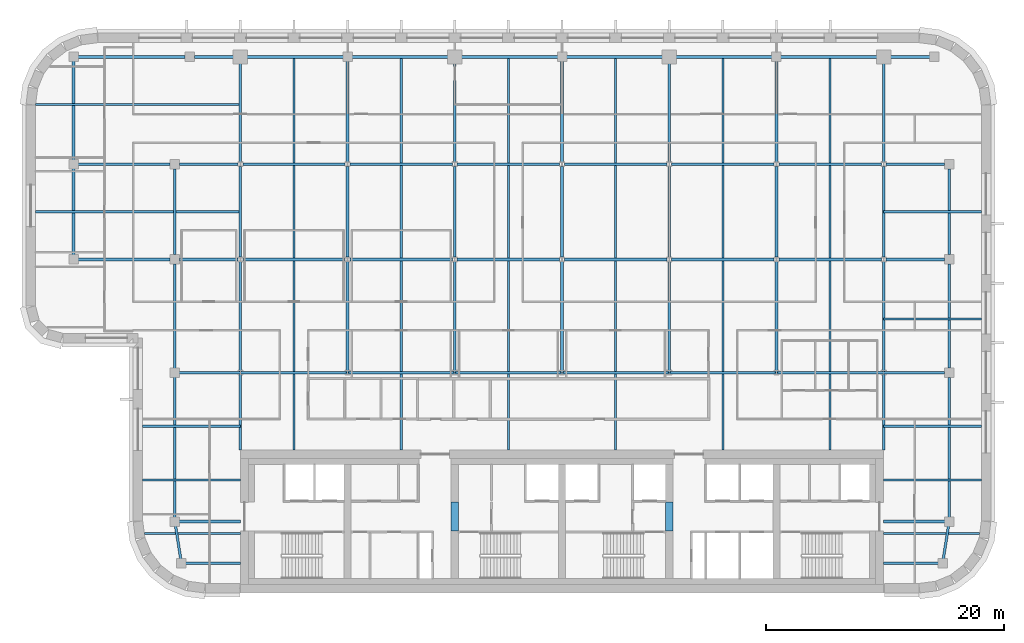
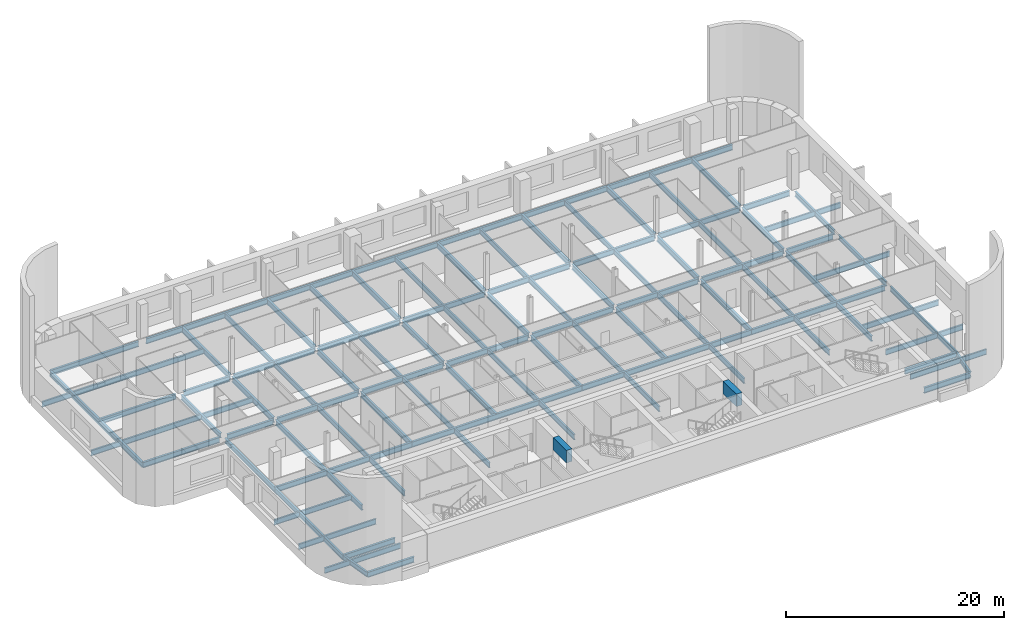
# One storey, part 5 of 17: 80 beams.
"""IFC4 building model written with IfcOpenShell, lengths in metres."""

import ifcopenshell
import ifcopenshell.guid

model = None  # the IFC model being written
_history = None  # IfcOwnerHistory: only IFC2X3 demands one
_inside = {}  # id of a spatial element -> (the spatial element, [elements in it])
_under = {}  # id of a project, library or spatial element -> (it, [spatial elements below it])
_declared = {}  # id of a project -> (the project, [libraries it declares])
_typed = {}  # id of a type object -> (the type object, [elements of that type])
_made_of = {}  # id of a material, layer set ... -> (it, [elements and type objects made of it])


def new_model(schema):
    """Start an empty IFC model of exactly this schema.

    Asked for "IFC4X3", IfcOpenShell would pick the latest addendum, in which some entities
    have other attributes; the version numbers below select the first issue.
    IFC2X3 requires an IfcOwnerHistory on every rooted entity: one is made here for all.
    """
    global model, _history
    if schema == "IFC4X3":
        model = ifcopenshell.file(schema_version=(4, 3, 0, 0))
    else:
        model = ifcopenshell.file(schema=schema)
    _inside.clear()
    _under.clear()
    _declared.clear()
    _typed.clear()
    _made_of.clear()
    _history = None
    if model.schema == "IFC2X3":
        org = make("IfcOrganization", Name="unknown")
        user = make(
            "IfcPersonAndOrganization",
            ThePerson=make("IfcPerson", FamilyName="unknown"),
            TheOrganization=org,
        )
        app = make(
            "IfcApplication",
            ApplicationDeveloper=org,
            Version="unknown",
            ApplicationFullName="unknown",
            ApplicationIdentifier="unknown",
        )
        _history = make(
            "IfcOwnerHistory",
            OwningUser=user,
            OwningApplication=app,
            ChangeAction="ADDED",
            CreationDate=0,
        )
    return model


def make(cls, **values):
    """One entity of the class cls with the attributes given. An attribute that is None is left unset."""
    return model.create_entity(
        cls, **{name: value for name, value in values.items() if value is not None}
    )


def rooted(cls, **values):
    """An entity with a GlobalId (a new one), such as an element, a storey or a relation."""
    return make(cls, GlobalId=ifcopenshell.guid.new(), OwnerHistory=_history, **values)


def si_unit(unit_type, name, prefix=None):
    """IfcSIUnit, for example si_unit("LENGTHUNIT", "METRE", prefix="MILLI")."""
    return make("IfcSIUnit", UnitType=unit_type, Prefix=prefix, Name=name)


def assignment(units):
    """IfcUnitAssignment: the units of a project."""
    return None if units is None else make("IfcUnitAssignment", Units=units)


def point(xyz):
    """IfcCartesianPoint."""
    return None if xyz is None else make("IfcCartesianPoint", Coordinates=xyz)


def direction(xyz):
    """IfcDirection."""
    return None if xyz is None else make("IfcDirection", DirectionRatios=xyz)


def frame(location, z_axis=None, x_axis=None):
    """IfcAxis2Placement3D, a coordinate frame: its origin and axes. An axis left out is left unset."""
    return make(
        "IfcAxis2Placement3D",
        Location=point(location),
        Axis=direction(z_axis),
        RefDirection=direction(x_axis),
    )


def frame_2d(location, x_axis=None):
    """IfcAxis2Placement2D, a coordinate frame in the plane: its origin and x axis."""
    return make(
        "IfcAxis2Placement2D", Location=point(location), RefDirection=direction(x_axis)
    )


def origin():
    """The frame at (0, 0, 0) with its axes left unset."""
    return frame((0.0, 0.0, 0.0))


def origin_2d():
    """The frame at (0, 0) in the plane with its x axis left unset."""
    return frame_2d((0.0, 0.0))


def place(relative_to, where):
    """IfcLocalPlacement: puts the frame where relative to a parent placement (None: the world)."""
    return make(
        "IfcLocalPlacement", PlacementRelTo=relative_to, RelativePlacement=where
    )


def context(
    kind, dimensions, precision=None, world=None, true_north=None, identifier=None
):
    """IfcGeometricRepresentationContext, for example the 3D "Model" context."""
    return make(
        "IfcGeometricRepresentationContext",
        ContextIdentifier=identifier,
        ContextType=kind,
        CoordinateSpaceDimension=dimensions,
        Precision=precision,
        WorldCoordinateSystem=world,
        TrueNorth=true_north,
    )


def subcontext(parent, identifier, kind, view, scale=None):
    """IfcGeometricRepresentationSubContext, for example "Body" below "Model"."""
    return make(
        "IfcGeometricRepresentationSubContext",
        ContextIdentifier=identifier,
        ContextType=kind,
        ParentContext=parent,
        TargetScale=scale,
        TargetView=view,
    )


def project(units=None, contexts=None):
    """IfcProject with its units and contexts."""
    return rooted(
        "IfcProject",
        Name="project",
        RepresentationContexts=contexts,
        UnitsInContext=assignment(units),
    )


def spatial(cls, under=None, at=None, **own):
    """A site, building, storey or space (cls), placed at a placement, below another one or the project."""
    s = rooted(cls, ObjectPlacement=at, **own)
    if under is not None:
        _under.setdefault(under.id(), (under, []))[1].append(s)
    return s


def profile(cls, at=None, kind="AREA", **sizes):
    """A parametric profile (cls). Its sizes go by their IFC names, for example OverallWidth=200.0."""
    return make(cls, ProfileType=kind, Position=at, **sizes)


def rectangle(**sizes):
    """IfcRectangleProfileDef."""
    return profile("IfcRectangleProfileDef", **sizes)


def i_section(**sizes):
    """IfcIShapeProfileDef."""
    return profile("IfcIShapeProfileDef", **sizes)


def extrude(swept, where, along, depth):
    """IfcExtrudedAreaSolid: the profile swept, set in the frame where, extruded along a direction by depth."""
    return make(
        "IfcExtrudedAreaSolid",
        SweptArea=swept,
        Position=where,
        ExtrudedDirection=direction(along),
        Depth=depth,
    )


def shape(context_of_items, identifier, shape_type, items):
    """IfcShapeRepresentation: the items that make up one representation, for example the "Body"."""
    return make(
        "IfcShapeRepresentation",
        ContextOfItems=context_of_items,
        RepresentationIdentifier=identifier,
        RepresentationType=shape_type,
        Items=items,
    )


def material(Name=None, Category=None):
    """IfcMaterial."""
    return make("IfcMaterial", Name=Name, Category=Category)


def material_profile(
    of_material, cross_section, Name=None, Category=None, Priority=None
):
    """IfcMaterialProfile: a cross section and its material."""
    return make(
        "IfcMaterialProfile",
        Name=Name,
        Material=of_material,
        Profile=cross_section,
        Priority=Priority,
        Category=Category,
    )


def profile_set(profiles, Name=None, composite=None):
    """IfcMaterialProfileSet."""
    return make(
        "IfcMaterialProfileSet",
        Name=Name,
        MaterialProfiles=profiles,
        CompositeProfile=composite,
    )


def made_of(thing, what):
    """Note that an element or type object is made of a material, layer set ...; save() writes the relation."""
    if what is not None:
        _made_of.setdefault(what.id(), (what, []))[1].append(thing)
    return thing


def type_object(cls, material=None, **own):
    """A type object (cls), such as IfcWallType, which elements share."""
    return made_of(rooted(cls, **own), material)


def element(
    cls,
    number,
    at=None,
    inside=None,
    cuts=None,
    type_object=None,
    material=None,
    context=None,
    identifier="Body",
    shape_type=None,
    held_by="IfcProductDefinitionShape",
    body=None,
    shapes=None,
    **own,
):
    """One element of the class cls, such as IfcWall. Its Tag is "e" and its number.

    at: its placement. inside: the storey or other place that contains it. cuts: it is an
    opening in that element (IfcRelVoidsElement). A single representation is given by context,
    identifier, shape_type and body (its items); several are given by shapes. held_by: the class
    of the entity that holds the representations. save() writes the other relations.
    """
    e = rooted(cls, Tag="e%d" % number, ObjectPlacement=at, **own)
    if body is not None:
        shapes = [shape(context, identifier, shape_type, body)]
    if shapes is not None:
        e.Representation = make(held_by, Representations=shapes)
    if inside is not None:
        _inside.setdefault(inside.id(), (inside, []))[1].append(e)
    if cuts is not None:
        rooted(
            "IfcRelVoidsElement", RelatingBuildingElement=cuts, RelatedOpeningElement=e
        )
    if type_object is not None:
        _typed.setdefault(type_object.id(), (type_object, []))[1].append(e)
    return made_of(e, material)


def aggregate(whole, parts):
    """IfcRelAggregates: a whole, such as a stair, and the parts it consists of."""
    return rooted("IfcRelAggregates", RelatingObject=whole, RelatedObjects=parts)


def save(model, path):
    """Write the relations noted so far, then the file.

    IfcRelAggregates (storeys below a building ...), IfcRelContainedInSpatialStructure (elements
    in a storey), IfcRelDefinesByType, IfcRelAssociatesMaterial and IfcRelDeclares: one each for
    every whole, place, type object, material and project.
    """
    for whole, parts in _under.values():
        aggregate(whole, parts)
    for where, things in _inside.values():
        rooted(
            "IfcRelContainedInSpatialStructure",
            RelatedElements=things,
            RelatingStructure=where,
        )
    for kind, things in _typed.values():
        rooted("IfcRelDefinesByType", RelatedObjects=things, RelatingType=kind)
    for what, things in _made_of.values():
        rooted("IfcRelAssociatesMaterial", RelatedObjects=things, RelatingMaterial=what)
    for by, libraries in _declared.values():
        rooted("IfcRelDeclares", RelatingContext=by, RelatedDefinitions=libraries)
    model.write(path)


model = new_model("IFC4")

# Units and contexts
model_context = context("Model", 3, precision=1e-05, world=origin(), true_north=direction((0.0, 1.0)))
body_context = subcontext(model_context, "Body", "Model", "MODEL_VIEW")
ifc_project = project(units=[si_unit("LENGTHUNIT", "METRE"), si_unit("AREAUNIT", "SQUARE_METRE"), si_unit("VOLUMEUNIT", "CUBIC_METRE"), si_unit("PLANEANGLEUNIT", "RADIAN"), si_unit("MASSUNIT", "GRAM", prefix="KILO")], contexts=[model_context])

# Site, building, storey
site_placement = place(None, origin())
site = spatial("IfcSite", under=ifc_project, at=site_placement, CompositionType="ELEMENT")
building_placement = place(site_placement, origin())
building = spatial("IfcBuilding", under=site, at=building_placement, Name="Zellij Exchange Tower", CompositionType="ELEMENT")
storey_placement = place(building_placement, frame((0.0, 0.0, 232.5)))
storey = spatial("IfcBuildingStorey", under=building, at=storey_placement, Name="L54", CompositionType="ELEMENT", Elevation=232.5)

# Beams
ifc_material_1 = material(Name="Concrete C50/60", Category="concrete")
ifc_material_profile_1 = material_profile(ifc_material_1, rectangle(XDim=0.60009765625, YDim=1.39990234375, at=origin_2d()), Name="CORE-CB 600x1400 C50/60")
ifc_profile_set_1 = profile_set([ifc_material_profile_1], Name="Concrete C50/60")
beam_type_1 = type_object("IfcBeamType", Name="CORE-CB 600x1400 C50/60", PredefinedType="BEAM", material=ifc_profile_set_1)
for number, where, z_axis, x_axis, name in (
    (1, (-9.0, -8.800048828125, 3.10009765625), (0.0, 1.0, 0.0), (-1.0, 0.0, 0.0), "Core coupling beam x -9 L54"),
    (2, (9.0, -8.800048828125, 3.10009765625), (0.0, 1.0, 0.0), (-1.0, 0.0, 0.0), "Core coupling beam x 9 L54"),
):
    element("IfcBeam", number, at=place(storey_placement, frame(where, z_axis=z_axis, x_axis=x_axis)), inside=storey, type_object=beam_type_1, Name=name, PredefinedType="BEAM", context=body_context, shape_type="SweptSolid", body=[
        extrude(rectangle(XDim=0.60009765625, YDim=1.39990234375, at=origin_2d()), origin(), (0.0, 0.0, 1.0), 2.425048828125),
    ])
ifc_material_2 = material(Name="Structural steel ASTM A992 Gr 50", Category="steel")
ifc_material_profile_2 = material_profile(ifc_material_2, i_section(OverallWidth=0.177978515625, OverallDepth=0.599365234375, WebThickness=0.010009765625, FlangeThickness=0.012939453125, at=origin_2d()), Name="W24x55")
ifc_profile_set_2 = profile_set([ifc_material_profile_2], Name="Structural steel ASTM A992 Gr 50")
beam_type_2 = type_object("IfcBeamType", Name="STR-BEAM W24x55", PredefinedType="BEAM", material=ifc_profile_set_2)
for number, where, z_axis, x_axis, name in (
    (3, (-22.5, -2.0, -0.499755859375), (0.0, 1.0, 0.0), (-1.0, 0.0, 0.0), "B4"),
    (4, (-13.5, -2.0, -0.499755859375), (0.0, 1.0, 0.0), (-1.0, 0.0, 0.0), "B4"),
    (5, (-4.5, -2.0, -0.499755859375), (0.0, 1.0, 0.0), (-1.0, 0.0, 0.0), "B4"),
    (6, (4.5, -2.0, -0.499755859375), (0.0, 1.0, 0.0), (-1.0, 0.0, 0.0), "B4"),
    (7, (13.5, -2.0, -0.499755859375), (0.0, 1.0, 0.0), (-1.0, 0.0, 0.0), "B4"),
    (8, (22.5, -2.0, -0.499755859375), (0.0, 1.0, 0.0), (-1.0, 0.0, 0.0), "B4"),
):
    element("IfcBeam", number, at=place(storey_placement, frame(where, z_axis=z_axis, x_axis=x_axis)), inside=storey, type_object=beam_type_2, Name=name, PredefinedType="BEAM", context=body_context, shape_type="SweptSolid", body=[
        extrude(i_section(OverallWidth=0.177978515625, OverallDepth=0.599365234375, WebThickness=0.010009765625, FlangeThickness=0.012939453125, at=origin_2d()), origin(), (0.0, 0.0, 1.0), 33.1142578125),
    ])
beam_1_placement = place(storey_placement, frame((-35.06103515625, -9.0, -0.499755859375), z_axis=(1.0, 0.0, 0.0), x_axis=(0.0, 1.0, 0.0)))
element("IfcBeam", 9, at=beam_1_placement, inside=storey, type_object=beam_type_2, Name="B4", PredefinedType="BEAM", context=body_context, shape_type="SweptSolid", body=[
    extrude(i_section(OverallWidth=0.177978515625, OverallDepth=0.599365234375, WebThickness=0.010009765625, FlangeThickness=0.012939453125, at=origin_2d()), origin(), (0.0, 0.0, 1.0), 8.06103515625),
])
for number, where, z_axis, x_axis, name in (
    (10, (-35.199951171875, -4.5, -0.499755859375), (1.0, 0.0, 0.0), (0.0, 1.0, 0.0), "B4"),
    (11, (-35.199951171875, 0.0, -0.499755859375), (1.0, 0.0, 0.0), (0.0, 1.0, 0.0), "B4"),
):
    element("IfcBeam", number, at=place(storey_placement, frame(where, z_axis=z_axis, x_axis=x_axis)), inside=storey, type_object=beam_type_2, Name=name, PredefinedType="BEAM", context=body_context, shape_type="SweptSolid", body=[
        extrude(i_section(OverallWidth=0.177978515625, OverallDepth=0.599365234375, WebThickness=0.010009765625, FlangeThickness=0.012939453125, at=origin_2d()), origin(), (0.0, 0.0, 1.0), 8.199951171875),
    ])
beam_2_placement = place(storey_placement, frame((-44.199951171875, 18.0, -0.499755859375), z_axis=(1.0, 0.0, 0.0), x_axis=(0.0, 1.0, 0.0)))
element("IfcBeam", 12, at=beam_2_placement, inside=storey, type_object=beam_type_2, Name="B4", PredefinedType="BEAM", context=body_context, shape_type="SweptSolid", body=[
    extrude(i_section(OverallWidth=0.177978515625, OverallDepth=0.599365234375, WebThickness=0.010009765625, FlangeThickness=0.012939453125, at=origin_2d()), origin(), (0.0, 0.0, 1.0), 17.199951171875),
])
beam_3_placement = place(storey_placement, frame((-44.193115234375, 27.0, -0.499755859375), z_axis=(1.0, 0.0, 0.0), x_axis=(0.0, 1.0, 0.0)))
element("IfcBeam", 13, at=beam_3_placement, inside=storey, type_object=beam_type_2, Name="B4", PredefinedType="BEAM", context=body_context, shape_type="SweptSolid", body=[
    extrude(i_section(OverallWidth=0.177978515625, OverallDepth=0.599365234375, WebThickness=0.010009765625, FlangeThickness=0.012939453125, at=origin_2d()), origin(), (0.0, 0.0, 1.0), 17.193115234375),
])
beam_4_placement = place(storey_placement, frame((27.0, -9.0, -0.499755859375), z_axis=(1.0, 0.0, 0.0), x_axis=(0.0, 1.0, 0.0)))
element("IfcBeam", 14, at=beam_4_placement, inside=storey, type_object=beam_type_2, Name="B4", PredefinedType="BEAM", context=body_context, shape_type="SweptSolid", body=[
    extrude(i_section(OverallWidth=0.177978515625, OverallDepth=0.599365234375, WebThickness=0.010009765625, FlangeThickness=0.012939453125, at=origin_2d()), origin(), (0.0, 0.0, 1.0), 8.06103515625),
])
for number, where, z_axis, x_axis, name in (
    (15, (27.0, -4.5, -0.499755859375), (1.0, 0.0, 0.0), (0.0, 1.0, 0.0), "B4"),
    (16, (27.0, 0.0, -0.499755859375), (1.0, 0.0, 0.0), (0.0, 1.0, 0.0), "B4"),
    (17, (27.0, 9.0, -0.499755859375), (1.0, 0.0, 0.0), (0.0, 1.0, 0.0), "B4"),
    (18, (27.0, 18.0, -0.499755859375), (1.0, 0.0, 0.0), (0.0, 1.0, 0.0), "B4"),
):
    element("IfcBeam", number, at=place(storey_placement, frame(where, z_axis=z_axis, x_axis=x_axis)), inside=storey, type_object=beam_type_2, Name=name, PredefinedType="BEAM", context=body_context, shape_type="SweptSolid", body=[
        extrude(i_section(OverallWidth=0.177978515625, OverallDepth=0.599365234375, WebThickness=0.010009765625, FlangeThickness=0.012939453125, at=origin_2d()), origin(), (0.0, 0.0, 1.0), 8.199951171875),
    ])
ifc_material_profile_3 = material_profile(ifc_material_2, i_section(OverallWidth=0.209228515625, OverallDepth=0.533447265625, WebThickness=0.01025390625, FlangeThickness=0.015625, at=origin_2d()), Name="W21x62")
ifc_profile_set_3 = profile_set([ifc_material_profile_3], Name="Structural steel ASTM A992 Gr 50")
beam_type_3 = type_object("IfcBeamType", Name="STR-EDGE GIRDER W21x62", PredefinedType="BEAM", material=ifc_profile_set_3)
beam_5_placement = place(storey_placement, frame((-31.949951171875, -11.5, -0.466796875), z_axis=(-0.155251283593, 0.987875011802, 0.0), x_axis=(-0.987875011802, -0.155251283593, 0.0)))
element("IfcBeam", 19, at=beam_5_placement, inside=storey, type_object=beam_type_3, Name="EB3", PredefinedType="BEAM", context=body_context, shape_type="SweptSolid", body=[
    extrude(i_section(OverallWidth=0.209228515625, OverallDepth=0.533447265625, WebThickness=0.01025390625, FlangeThickness=0.015625, at=origin_2d()), origin(), (0.0, 0.0, 1.0), 3.54296875),
])
beam_6_placement = place(storey_placement, frame((-32.5, -8.0, -0.466796875), z_axis=(0.0, 1.0, 0.0), x_axis=(-1.0, 0.0, 0.0)))
element("IfcBeam", 20, at=beam_6_placement, inside=storey, type_object=beam_type_3, Name="EB3", PredefinedType="BEAM", context=body_context, shape_type="SweptSolid", body=[
    extrude(i_section(OverallWidth=0.209228515625, OverallDepth=0.533447265625, WebThickness=0.01025390625, FlangeThickness=0.015625, at=origin_2d()), origin(), (0.0, 0.0, 1.0), 12.5),
])
beam_7_placement = place(storey_placement, frame((-32.5, 4.5, -0.466796875), z_axis=(0.0, 1.0, 0.0), x_axis=(-1.0, 0.0, 0.0)))
element("IfcBeam", 21, at=beam_7_placement, inside=storey, type_object=beam_type_3, Name="EB3", PredefinedType="BEAM", context=body_context, shape_type="SweptSolid", body=[
    extrude(i_section(OverallWidth=0.209228515625, OverallDepth=0.533447265625, WebThickness=0.01025390625, FlangeThickness=0.015625, at=origin_2d()), origin(), (0.0, 0.0, 1.0), 9.10009765625),
])
beam_8_placement = place(storey_placement, frame((-32.5, 14.39990234375, -0.466796875), z_axis=(0.0, 1.0, 0.0), x_axis=(-1.0, 0.0, 0.0)))
element("IfcBeam", 22, at=beam_8_placement, inside=storey, type_object=beam_type_3, Name="EB3", PredefinedType="BEAM", context=body_context, shape_type="SweptSolid", body=[
    extrude(i_section(OverallWidth=0.209228515625, OverallDepth=0.533447265625, WebThickness=0.01025390625, FlangeThickness=0.015625, at=origin_2d()), origin(), (0.0, 0.0, 1.0), 7.2001953125),
])
beam_9_placement = place(storey_placement, frame((31.949951171875, -11.5, -0.466796875), z_axis=(0.155251283593, 0.987875011802, 0.0), x_axis=(-0.987875011802, 0.155251283593, 0.0)))
element("IfcBeam", 23, at=beam_9_placement, inside=storey, type_object=beam_type_3, Name="EB3", PredefinedType="BEAM", context=body_context, shape_type="SweptSolid", body=[
    extrude(i_section(OverallWidth=0.209228515625, OverallDepth=0.533447265625, WebThickness=0.01025390625, FlangeThickness=0.015625, at=origin_2d()), origin(), (0.0, 0.0, 1.0), 3.54296875),
])
beam_10_placement = place(storey_placement, frame((32.5, -8.0, -0.466796875), z_axis=(0.0, 1.0, 0.0), x_axis=(-1.0, 0.0, 0.0)))
element("IfcBeam", 24, at=beam_10_placement, inside=storey, type_object=beam_type_3, Name="EB3", PredefinedType="BEAM", context=body_context, shape_type="SweptSolid", body=[
    extrude(i_section(OverallWidth=0.209228515625, OverallDepth=0.533447265625, WebThickness=0.01025390625, FlangeThickness=0.015625, at=origin_2d()), origin(), (0.0, 0.0, 1.0), 12.10009765625),
])
beam_11_placement = place(storey_placement, frame((32.5, 4.89990234375, -0.466796875), z_axis=(0.0, 1.0, 0.0), x_axis=(-1.0, 0.0, 0.0)))
element("IfcBeam", 25, at=beam_11_placement, inside=storey, type_object=beam_type_3, Name="EB3", PredefinedType="BEAM", context=body_context, shape_type="SweptSolid", body=[
    extrude(i_section(OverallWidth=0.209228515625, OverallDepth=0.533447265625, WebThickness=0.01025390625, FlangeThickness=0.015625, at=origin_2d()), origin(), (0.0, 0.0, 1.0), 8.7001953125),
])
beam_12_placement = place(storey_placement, frame((32.5, 14.39990234375, -0.466796875), z_axis=(0.0, 1.0, 0.0), x_axis=(-1.0, 0.0, 0.0)))
element("IfcBeam", 26, at=beam_12_placement, inside=storey, type_object=beam_type_3, Name="EB3", PredefinedType="BEAM", context=body_context, shape_type="SweptSolid", body=[
    extrude(i_section(OverallWidth=0.209228515625, OverallDepth=0.533447265625, WebThickness=0.01025390625, FlangeThickness=0.015625, at=origin_2d()), origin(), (0.0, 0.0, 1.0), 7.2001953125),
])
ifc_material_profile_4 = material_profile(ifc_material_2, i_section(OverallWidth=0.228271484375, OverallDepth=0.607177734375, WebThickness=0.01123046875, FlangeThickness=0.017333984375, at=origin_2d()), Name="W24x76")
ifc_profile_set_4 = profile_set([ifc_material_profile_4], Name="Structural steel ASTM A992 Gr 50")
beam_type_4 = type_object("IfcBeamType", Name="STR-GIRDER W24x76", PredefinedType="BEAM", material=ifc_profile_set_4)
for number, where, z_axis, x_axis, name in (
    (27, (-31.949951171875, -11.5, -0.50341796875), (1.0, 0.0, 0.0), (0.0, 1.0, 0.0), "G2"),
    (28, (27.0, -11.5, -0.50341796875), (1.0, 0.0, 0.0), (0.0, 1.0, 0.0), "G2"),
):
    element("IfcBeam", number, at=place(storey_placement, frame(where, z_axis=z_axis, x_axis=x_axis)), inside=storey, type_object=beam_type_4, Name=name, PredefinedType="BEAM", context=body_context, shape_type="SweptSolid", body=[
        extrude(i_section(OverallWidth=0.228271484375, OverallDepth=0.607177734375, WebThickness=0.01123046875, FlangeThickness=0.017333984375, at=origin_2d()), origin(), (0.0, 0.0, 1.0), 4.949951171875),
    ])
for number, where, z_axis, x_axis, name in (
    (29, (-32.5, -8.0, -0.50341796875), (1.0, 0.0, 0.0), (0.0, 1.0, 0.0), "G2"),
    (30, (27.0, -8.0, -0.50341796875), (1.0, 0.0, 0.0), (0.0, 1.0, 0.0), "G2"),
):
    element("IfcBeam", number, at=place(storey_placement, frame(where, z_axis=z_axis, x_axis=x_axis)), inside=storey, type_object=beam_type_4, Name=name, PredefinedType="BEAM", context=body_context, shape_type="SweptSolid", body=[
        extrude(i_section(OverallWidth=0.228271484375, OverallDepth=0.607177734375, WebThickness=0.01123046875, FlangeThickness=0.017333984375, at=origin_2d()), origin(), (0.0, 0.0, 1.0), 5.5),
    ])
beam_13_placement = place(storey_placement, frame((-32.5, 4.5, -0.50341796875), z_axis=(1.0, 0.0, 0.0), x_axis=(0.0, 1.0, 0.0)))
element("IfcBeam", 31, at=beam_13_placement, inside=storey, type_object=beam_type_4, Name="G2", PredefinedType="BEAM", context=body_context, shape_type="SweptSolid", body=[
    extrude(i_section(OverallWidth=0.228271484375, OverallDepth=0.607177734375, WebThickness=0.01123046875, FlangeThickness=0.017333984375, at=origin_2d()), origin(), (0.0, 0.0, 1.0), 14.5),
])
for number, where, z_axis, x_axis, name in (
    (32, (-18.0, 4.5, -0.50341796875), (1.0, 0.0, 0.0), (0.0, 1.0, 0.0), "G2"),
    (33, (0.0, 4.5, -0.50341796875), (1.0, 0.0, 0.0), (0.0, 1.0, 0.0), "G2"),
):
    element("IfcBeam", number, at=place(storey_placement, frame(where, z_axis=z_axis, x_axis=x_axis)), inside=storey, type_object=beam_type_4, Name=name, PredefinedType="BEAM", context=body_context, shape_type="SweptSolid", body=[
        extrude(i_section(OverallWidth=0.228271484375, OverallDepth=0.607177734375, WebThickness=0.01123046875, FlangeThickness=0.017333984375, at=origin_2d()), origin(), (0.0, 0.0, 1.0), 18.0),
    ])
beam_14_placement = place(storey_placement, frame((18.0, 4.5, -0.50341796875), z_axis=(1.0, 0.0, 0.0), x_axis=(0.0, 1.0, 0.0)))
element("IfcBeam", 34, at=beam_14_placement, inside=storey, type_object=beam_type_4, Name="G2", PredefinedType="BEAM", context=body_context, shape_type="SweptSolid", body=[
    extrude(i_section(OverallWidth=0.228271484375, OverallDepth=0.607177734375, WebThickness=0.01123046875, FlangeThickness=0.017333984375, at=origin_2d()), origin(), (0.0, 0.0, 1.0), 14.10009765625),
])
beam_15_placement = place(storey_placement, frame((-41.0, 14.0, -0.50341796875), z_axis=(1.0, 0.0, 0.0), x_axis=(0.0, 1.0, 0.0)))
element("IfcBeam", 35, at=beam_15_placement, inside=storey, type_object=beam_type_4, Name="G2", PredefinedType="BEAM", context=body_context, shape_type="SweptSolid", body=[
    extrude(i_section(OverallWidth=0.228271484375, OverallDepth=0.607177734375, WebThickness=0.01123046875, FlangeThickness=0.017333984375, at=origin_2d()), origin(), (0.0, 0.0, 1.0), 8.10009765625),
])
beam_16_placement = place(storey_placement, frame((-32.10009765625, 14.0, -0.50341796875), z_axis=(1.0, 0.0, 0.0), x_axis=(0.0, 1.0, 0.0)))
element("IfcBeam", 36, at=beam_16_placement, inside=storey, type_object=beam_type_4, Name="G2", PredefinedType="BEAM", context=body_context, shape_type="SweptSolid", body=[
    extrude(i_section(OverallWidth=0.228271484375, OverallDepth=0.607177734375, WebThickness=0.01123046875, FlangeThickness=0.017333984375, at=origin_2d()), origin(), (0.0, 0.0, 1.0), 4.900634765625),
])
for number, where, z_axis, x_axis, name in (
    (37, (-26.800537109375, 14.0, -0.50341796875), (1.0, 0.0, 0.0), (0.0, 1.0, 0.0), "G2"),
    (38, (-17.800537109375, 14.0, -0.50341796875), (1.0, 0.0, 0.0), (0.0, 1.0, 0.0), "G2"),
    (39, (-8.800537109375, 14.0, -0.50341796875), (1.0, 0.0, 0.0), (0.0, 1.0, 0.0), "G2"),
    (40, (0.199462890625, 14.0, -0.50341796875), (1.0, 0.0, 0.0), (0.0, 1.0, 0.0), "G2"),
    (41, (9.199462890625, 14.0, -0.50341796875), (1.0, 0.0, 0.0), (0.0, 1.0, 0.0), "G2"),
    (42, (18.199462890625, 14.0, -0.50341796875), (1.0, 0.0, 0.0), (0.0, 1.0, 0.0), "G2"),
):
    element("IfcBeam", number, at=place(storey_placement, frame(where, z_axis=z_axis, x_axis=x_axis)), inside=storey, type_object=beam_type_4, Name=name, PredefinedType="BEAM", context=body_context, shape_type="SweptSolid", body=[
        extrude(i_section(OverallWidth=0.228271484375, OverallDepth=0.607177734375, WebThickness=0.01123046875, FlangeThickness=0.017333984375, at=origin_2d()), origin(), (0.0, 0.0, 1.0), 8.60107421875),
    ])
beam_17_placement = place(storey_placement, frame((27.199462890625, 14.0, -0.50341796875), z_axis=(1.0, 0.0, 0.0), x_axis=(0.0, 1.0, 0.0)))
element("IfcBeam", 43, at=beam_17_placement, inside=storey, type_object=beam_type_4, Name="G2", PredefinedType="BEAM", context=body_context, shape_type="SweptSolid", body=[
    extrude(i_section(OverallWidth=0.228271484375, OverallDepth=0.607177734375, WebThickness=0.01123046875, FlangeThickness=0.017333984375, at=origin_2d()), origin(), (0.0, 0.0, 1.0), 4.900634765625),
])
beam_18_placement = place(storey_placement, frame((-41.0, 22.0, -0.50341796875), z_axis=(1.0, 0.0, 0.0), x_axis=(0.0, 1.0, 0.0)))
element("IfcBeam", 44, at=beam_18_placement, inside=storey, type_object=beam_type_4, Name="G2", PredefinedType="BEAM", context=body_context, shape_type="SweptSolid", body=[
    extrude(i_section(OverallWidth=0.228271484375, OverallDepth=0.607177734375, WebThickness=0.01123046875, FlangeThickness=0.017333984375, at=origin_2d()), origin(), (0.0, 0.0, 1.0), 8.10009765625),
])
beam_19_placement = place(storey_placement, frame((-32.10009765625, 22.0, -0.50341796875), z_axis=(1.0, 0.0, 0.0), x_axis=(0.0, 1.0, 0.0)))
element("IfcBeam", 45, at=beam_19_placement, inside=storey, type_object=beam_type_4, Name="G2", PredefinedType="BEAM", context=body_context, shape_type="SweptSolid", body=[
    extrude(i_section(OverallWidth=0.228271484375, OverallDepth=0.607177734375, WebThickness=0.01123046875, FlangeThickness=0.017333984375, at=origin_2d()), origin(), (0.0, 0.0, 1.0), 4.900634765625),
])
for number, where, z_axis, x_axis, name in (
    (46, (-26.800537109375, 22.0, -0.50341796875), (1.0, 0.0, 0.0), (0.0, 1.0, 0.0), "G2"),
    (47, (-17.800537109375, 22.0, -0.50341796875), (1.0, 0.0, 0.0), (0.0, 1.0, 0.0), "G2"),
    (48, (-8.800537109375, 22.0, -0.50341796875), (1.0, 0.0, 0.0), (0.0, 1.0, 0.0), "G2"),
    (49, (0.199462890625, 22.0, -0.50341796875), (1.0, 0.0, 0.0), (0.0, 1.0, 0.0), "G2"),
    (50, (9.199462890625, 22.0, -0.50341796875), (1.0, 0.0, 0.0), (0.0, 1.0, 0.0), "G2"),
    (51, (18.199462890625, 22.0, -0.50341796875), (1.0, 0.0, 0.0), (0.0, 1.0, 0.0), "G2"),
):
    element("IfcBeam", number, at=place(storey_placement, frame(where, z_axis=z_axis, x_axis=x_axis)), inside=storey, type_object=beam_type_4, Name=name, PredefinedType="BEAM", context=body_context, shape_type="SweptSolid", body=[
        extrude(i_section(OverallWidth=0.228271484375, OverallDepth=0.607177734375, WebThickness=0.01123046875, FlangeThickness=0.017333984375, at=origin_2d()), origin(), (0.0, 0.0, 1.0), 8.60107421875),
    ])
beam_20_placement = place(storey_placement, frame((27.199462890625, 22.0, -0.50341796875), z_axis=(1.0, 0.0, 0.0), x_axis=(0.0, 1.0, 0.0)))
element("IfcBeam", 52, at=beam_20_placement, inside=storey, type_object=beam_type_4, Name="G2", PredefinedType="BEAM", context=body_context, shape_type="SweptSolid", body=[
    extrude(i_section(OverallWidth=0.228271484375, OverallDepth=0.607177734375, WebThickness=0.01123046875, FlangeThickness=0.017333984375, at=origin_2d()), origin(), (0.0, 0.0, 1.0), 4.900634765625),
])
beam_21_placement = place(storey_placement, frame((-41.0, 31.0, -0.50341796875), z_axis=(1.0, 0.0, 0.0), x_axis=(0.0, 1.0, 0.0)))
element("IfcBeam", 53, at=beam_21_placement, inside=storey, type_object=beam_type_4, Name="G2", PredefinedType="BEAM", context=body_context, shape_type="SweptSolid", body=[
    extrude(i_section(OverallWidth=0.228271484375, OverallDepth=0.607177734375, WebThickness=0.01123046875, FlangeThickness=0.017333984375, at=origin_2d()), origin(), (0.0, 0.0, 1.0), 9.35009765625),
])
beam_22_placement = place(storey_placement, frame((-30.85009765625, 31.0, -0.50341796875), z_axis=(1.0, 0.0, 0.0), x_axis=(0.0, 1.0, 0.0)))
element("IfcBeam", 54, at=beam_22_placement, inside=storey, type_object=beam_type_4, Name="G2", PredefinedType="BEAM", context=body_context, shape_type="SweptSolid", body=[
    extrude(i_section(OverallWidth=0.228271484375, OverallDepth=0.607177734375, WebThickness=0.01123046875, FlangeThickness=0.017333984375, at=origin_2d()), origin(), (0.0, 0.0, 1.0), 3.85009765625),
])
for number, where, z_axis, x_axis, name in (
    (55, (-27.0, 31.0, -0.50341796875), (1.0, 0.0, 0.0), (0.0, 1.0, 0.0), "G2"),
    (56, (-9.0, 31.0, -0.50341796875), (1.0, 0.0, 0.0), (0.0, 1.0, 0.0), "G2"),
    (57, (9.0, 31.0, -0.50341796875), (1.0, 0.0, 0.0), (0.0, 1.0, 0.0), "G2"),
):
    element("IfcBeam", number, at=place(storey_placement, frame(where, z_axis=z_axis, x_axis=x_axis)), inside=storey, type_object=beam_type_4, Name=name, PredefinedType="BEAM", context=body_context, shape_type="SweptSolid", body=[
        extrude(i_section(OverallWidth=0.228271484375, OverallDepth=0.607177734375, WebThickness=0.01123046875, FlangeThickness=0.017333984375, at=origin_2d()), origin(), (0.0, 0.0, 1.0), 18.0),
    ])
beam_23_placement = place(storey_placement, frame((27.0, 31.0, -0.50341796875), z_axis=(1.0, 0.0, 0.0), x_axis=(0.0, 1.0, 0.0)))
element("IfcBeam", 58, at=beam_23_placement, inside=storey, type_object=beam_type_4, Name="G2", PredefinedType="BEAM", context=body_context, shape_type="SweptSolid", body=[
    extrude(i_section(OverallWidth=0.228271484375, OverallDepth=0.607177734375, WebThickness=0.01123046875, FlangeThickness=0.017333984375, at=origin_2d()), origin(), (0.0, 0.0, 1.0), 4.25),
])
beam_24_placement = place(storey_placement, frame((-41.0, 14.0, -0.50341796875), z_axis=(0.0, 1.0, 0.0), x_axis=(-1.0, 0.0, 0.0)))
element("IfcBeam", 59, at=beam_24_placement, inside=storey, type_object=beam_type_4, Name="G2", PredefinedType="BEAM", context=body_context, shape_type="SweptSolid", body=[
    extrude(i_section(OverallWidth=0.228271484375, OverallDepth=0.607177734375, WebThickness=0.01123046875, FlangeThickness=0.017333984375, at=origin_2d()), origin(), (0.0, 0.0, 1.0), 17.0),
])
beam_25_placement = place(storey_placement, frame((-27.0, -2.0, -0.50341796875), z_axis=(0.0, 1.0, 0.0), x_axis=(-1.0, 0.0, 0.0)))
element("IfcBeam", 60, at=beam_25_placement, inside=storey, type_object=beam_type_4, Name="G2", PredefinedType="BEAM", context=body_context, shape_type="SweptSolid", body=[
    extrude(i_section(OverallWidth=0.228271484375, OverallDepth=0.607177734375, WebThickness=0.01123046875, FlangeThickness=0.017333984375, at=origin_2d()), origin(), (0.0, 0.0, 1.0), 15.806884765625),
])
beam_26_placement = place(storey_placement, frame((-27.0, 14.193115234375, -0.50341796875), z_axis=(0.0, 1.0, 0.0), x_axis=(-1.0, 0.0, 0.0)))
element("IfcBeam", 61, at=beam_26_placement, inside=storey, type_object=beam_type_4, Name="G2", PredefinedType="BEAM", context=body_context, shape_type="SweptSolid", body=[
    extrude(i_section(OverallWidth=0.228271484375, OverallDepth=0.607177734375, WebThickness=0.01123046875, FlangeThickness=0.017333984375, at=origin_2d()), origin(), (0.0, 0.0, 1.0), 7.61376953125),
])
beam_27_placement = place(storey_placement, frame((-27.0, 22.193115234375, -0.50341796875), z_axis=(0.0, 1.0, 0.0), x_axis=(-1.0, 0.0, 0.0)))
element("IfcBeam", 62, at=beam_27_placement, inside=storey, type_object=beam_type_4, Name="G2", PredefinedType="BEAM", context=body_context, shape_type="SweptSolid", body=[
    extrude(i_section(OverallWidth=0.228271484375, OverallDepth=0.607177734375, WebThickness=0.01123046875, FlangeThickness=0.017333984375, at=origin_2d()), origin(), (0.0, 0.0, 1.0), 8.806884765625),
])
beam_28_placement = place(storey_placement, frame((-18.0, 4.5, -0.50341796875), z_axis=(0.0, 1.0, 0.0), x_axis=(-1.0, 0.0, 0.0)))
element("IfcBeam", 63, at=beam_28_placement, inside=storey, type_object=beam_type_4, Name="G2", PredefinedType="BEAM", context=body_context, shape_type="SweptSolid", body=[
    extrude(i_section(OverallWidth=0.228271484375, OverallDepth=0.607177734375, WebThickness=0.01123046875, FlangeThickness=0.017333984375, at=origin_2d()), origin(), (0.0, 0.0, 1.0), 9.306884765625),
])
beam_29_placement = place(storey_placement, frame((-18.0, 14.193115234375, -0.50341796875), z_axis=(0.0, 1.0, 0.0), x_axis=(-1.0, 0.0, 0.0)))
element("IfcBeam", 64, at=beam_29_placement, inside=storey, type_object=beam_type_4, Name="G2", PredefinedType="BEAM", context=body_context, shape_type="SweptSolid", body=[
    extrude(i_section(OverallWidth=0.228271484375, OverallDepth=0.607177734375, WebThickness=0.01123046875, FlangeThickness=0.017333984375, at=origin_2d()), origin(), (0.0, 0.0, 1.0), 7.61376953125),
])
beam_30_placement = place(storey_placement, frame((-18.0, 22.193115234375, -0.50341796875), z_axis=(0.0, 1.0, 0.0), x_axis=(-1.0, 0.0, 0.0)))
element("IfcBeam", 65, at=beam_30_placement, inside=storey, type_object=beam_type_4, Name="G2", PredefinedType="BEAM", context=body_context, shape_type="SweptSolid", body=[
    extrude(i_section(OverallWidth=0.228271484375, OverallDepth=0.607177734375, WebThickness=0.01123046875, FlangeThickness=0.017333984375, at=origin_2d()), origin(), (0.0, 0.0, 1.0), 8.806884765625),
])
beam_31_placement = place(storey_placement, frame((-9.0, 4.5, -0.50341796875), z_axis=(0.0, 1.0, 0.0), x_axis=(-1.0, 0.0, 0.0)))
element("IfcBeam", 66, at=beam_31_placement, inside=storey, type_object=beam_type_4, Name="G2", PredefinedType="BEAM", context=body_context, shape_type="SweptSolid", body=[
    extrude(i_section(OverallWidth=0.228271484375, OverallDepth=0.607177734375, WebThickness=0.01123046875, FlangeThickness=0.017333984375, at=origin_2d()), origin(), (0.0, 0.0, 1.0), 9.306884765625),
])
beam_32_placement = place(storey_placement, frame((-9.0, 14.193115234375, -0.50341796875), z_axis=(0.0, 1.0, 0.0), x_axis=(-1.0, 0.0, 0.0)))
element("IfcBeam", 67, at=beam_32_placement, inside=storey, type_object=beam_type_4, Name="G2", PredefinedType="BEAM", context=body_context, shape_type="SweptSolid", body=[
    extrude(i_section(OverallWidth=0.228271484375, OverallDepth=0.607177734375, WebThickness=0.01123046875, FlangeThickness=0.017333984375, at=origin_2d()), origin(), (0.0, 0.0, 1.0), 7.61376953125),
])
beam_33_placement = place(storey_placement, frame((-9.0, 22.193115234375, -0.50341796875), z_axis=(0.0, 1.0, 0.0), x_axis=(-1.0, 0.0, 0.0)))
element("IfcBeam", 68, at=beam_33_placement, inside=storey, type_object=beam_type_4, Name="G2", PredefinedType="BEAM", context=body_context, shape_type="SweptSolid", body=[
    extrude(i_section(OverallWidth=0.228271484375, OverallDepth=0.607177734375, WebThickness=0.01123046875, FlangeThickness=0.017333984375, at=origin_2d()), origin(), (0.0, 0.0, 1.0), 8.806884765625),
])
beam_34_placement = place(storey_placement, frame((0.0, 4.5, -0.50341796875), z_axis=(0.0, 1.0, 0.0), x_axis=(-1.0, 0.0, 0.0)))
element("IfcBeam", 69, at=beam_34_placement, inside=storey, type_object=beam_type_4, Name="G2", PredefinedType="BEAM", context=body_context, shape_type="SweptSolid", body=[
    extrude(i_section(OverallWidth=0.228271484375, OverallDepth=0.607177734375, WebThickness=0.01123046875, FlangeThickness=0.017333984375, at=origin_2d()), origin(), (0.0, 0.0, 1.0), 9.306884765625),
])
beam_35_placement = place(storey_placement, frame((0.0, 14.193115234375, -0.50341796875), z_axis=(0.0, 1.0, 0.0), x_axis=(-1.0, 0.0, 0.0)))
element("IfcBeam", 70, at=beam_35_placement, inside=storey, type_object=beam_type_4, Name="G2", PredefinedType="BEAM", context=body_context, shape_type="SweptSolid", body=[
    extrude(i_section(OverallWidth=0.228271484375, OverallDepth=0.607177734375, WebThickness=0.01123046875, FlangeThickness=0.017333984375, at=origin_2d()), origin(), (0.0, 0.0, 1.0), 7.61376953125),
])
beam_36_placement = place(storey_placement, frame((0.0, 22.193115234375, -0.50341796875), z_axis=(0.0, 1.0, 0.0), x_axis=(-1.0, 0.0, 0.0)))
element("IfcBeam", 71, at=beam_36_placement, inside=storey, type_object=beam_type_4, Name="G2", PredefinedType="BEAM", context=body_context, shape_type="SweptSolid", body=[
    extrude(i_section(OverallWidth=0.228271484375, OverallDepth=0.607177734375, WebThickness=0.01123046875, FlangeThickness=0.017333984375, at=origin_2d()), origin(), (0.0, 0.0, 1.0), 8.806884765625),
])
beam_37_placement = place(storey_placement, frame((9.0, 4.5, -0.50341796875), z_axis=(0.0, 1.0, 0.0), x_axis=(-1.0, 0.0, 0.0)))
element("IfcBeam", 72, at=beam_37_placement, inside=storey, type_object=beam_type_4, Name="G2", PredefinedType="BEAM", context=body_context, shape_type="SweptSolid", body=[
    extrude(i_section(OverallWidth=0.228271484375, OverallDepth=0.607177734375, WebThickness=0.01123046875, FlangeThickness=0.017333984375, at=origin_2d()), origin(), (0.0, 0.0, 1.0), 9.306884765625),
])
beam_38_placement = place(storey_placement, frame((9.0, 14.193115234375, -0.50341796875), z_axis=(0.0, 1.0, 0.0), x_axis=(-1.0, 0.0, 0.0)))
element("IfcBeam", 73, at=beam_38_placement, inside=storey, type_object=beam_type_4, Name="G2", PredefinedType="BEAM", context=body_context, shape_type="SweptSolid", body=[
    extrude(i_section(OverallWidth=0.228271484375, OverallDepth=0.607177734375, WebThickness=0.01123046875, FlangeThickness=0.017333984375, at=origin_2d()), origin(), (0.0, 0.0, 1.0), 7.61376953125),
])
beam_39_placement = place(storey_placement, frame((9.0, 22.193115234375, -0.50341796875), z_axis=(0.0, 1.0, 0.0), x_axis=(-1.0, 0.0, 0.0)))
element("IfcBeam", 74, at=beam_39_placement, inside=storey, type_object=beam_type_4, Name="G2", PredefinedType="BEAM", context=body_context, shape_type="SweptSolid", body=[
    extrude(i_section(OverallWidth=0.228271484375, OverallDepth=0.607177734375, WebThickness=0.01123046875, FlangeThickness=0.017333984375, at=origin_2d()), origin(), (0.0, 0.0, 1.0), 8.806884765625),
])
beam_40_placement = place(storey_placement, frame((18.0, 4.5, -0.50341796875), z_axis=(0.0, 1.0, 0.0), x_axis=(-1.0, 0.0, 0.0)))
element("IfcBeam", 75, at=beam_40_placement, inside=storey, type_object=beam_type_4, Name="G2", PredefinedType="BEAM", context=body_context, shape_type="SweptSolid", body=[
    extrude(i_section(OverallWidth=0.228271484375, OverallDepth=0.607177734375, WebThickness=0.01123046875, FlangeThickness=0.017333984375, at=origin_2d()), origin(), (0.0, 0.0, 1.0), 9.306884765625),
])
beam_41_placement = place(storey_placement, frame((18.0, 14.193115234375, -0.50341796875), z_axis=(0.0, 1.0, 0.0), x_axis=(-1.0, 0.0, 0.0)))
element("IfcBeam", 76, at=beam_41_placement, inside=storey, type_object=beam_type_4, Name="G2", PredefinedType="BEAM", context=body_context, shape_type="SweptSolid", body=[
    extrude(i_section(OverallWidth=0.228271484375, OverallDepth=0.607177734375, WebThickness=0.01123046875, FlangeThickness=0.017333984375, at=origin_2d()), origin(), (0.0, 0.0, 1.0), 7.61376953125),
])
beam_42_placement = place(storey_placement, frame((18.0, 22.193115234375, -0.50341796875), z_axis=(0.0, 1.0, 0.0), x_axis=(-1.0, 0.0, 0.0)))
element("IfcBeam", 77, at=beam_42_placement, inside=storey, type_object=beam_type_4, Name="G2", PredefinedType="BEAM", context=body_context, shape_type="SweptSolid", body=[
    extrude(i_section(OverallWidth=0.228271484375, OverallDepth=0.607177734375, WebThickness=0.01123046875, FlangeThickness=0.017333984375, at=origin_2d()), origin(), (0.0, 0.0, 1.0), 8.806884765625),
])
beam_43_placement = place(storey_placement, frame((27.0, -2.0, -0.50341796875), z_axis=(0.0, 1.0, 0.0), x_axis=(-1.0, 0.0, 0.0)))
element("IfcBeam", 78, at=beam_43_placement, inside=storey, type_object=beam_type_4, Name="G2", PredefinedType="BEAM", context=body_context, shape_type="SweptSolid", body=[
    extrude(i_section(OverallWidth=0.228271484375, OverallDepth=0.607177734375, WebThickness=0.01123046875, FlangeThickness=0.017333984375, at=origin_2d()), origin(), (0.0, 0.0, 1.0), 15.806884765625),
])
beam_44_placement = place(storey_placement, frame((27.0, 14.193115234375, -0.50341796875), z_axis=(0.0, 1.0, 0.0), x_axis=(-1.0, 0.0, 0.0)))
element("IfcBeam", 79, at=beam_44_placement, inside=storey, type_object=beam_type_4, Name="G2", PredefinedType="BEAM", context=body_context, shape_type="SweptSolid", body=[
    extrude(i_section(OverallWidth=0.228271484375, OverallDepth=0.607177734375, WebThickness=0.01123046875, FlangeThickness=0.017333984375, at=origin_2d()), origin(), (0.0, 0.0, 1.0), 7.61376953125),
])
beam_45_placement = place(storey_placement, frame((27.0, 22.193115234375, -0.50341796875), z_axis=(0.0, 1.0, 0.0), x_axis=(-1.0, 0.0, 0.0)))
element("IfcBeam", 80, at=beam_45_placement, inside=storey, type_object=beam_type_4, Name="G2", PredefinedType="BEAM", context=body_context, shape_type="SweptSolid", body=[
    extrude(i_section(OverallWidth=0.228271484375, OverallDepth=0.607177734375, WebThickness=0.01123046875, FlangeThickness=0.017333984375, at=origin_2d()), origin(), (0.0, 0.0, 1.0), 8.806884765625),
])

save(model, "model.ifc")
